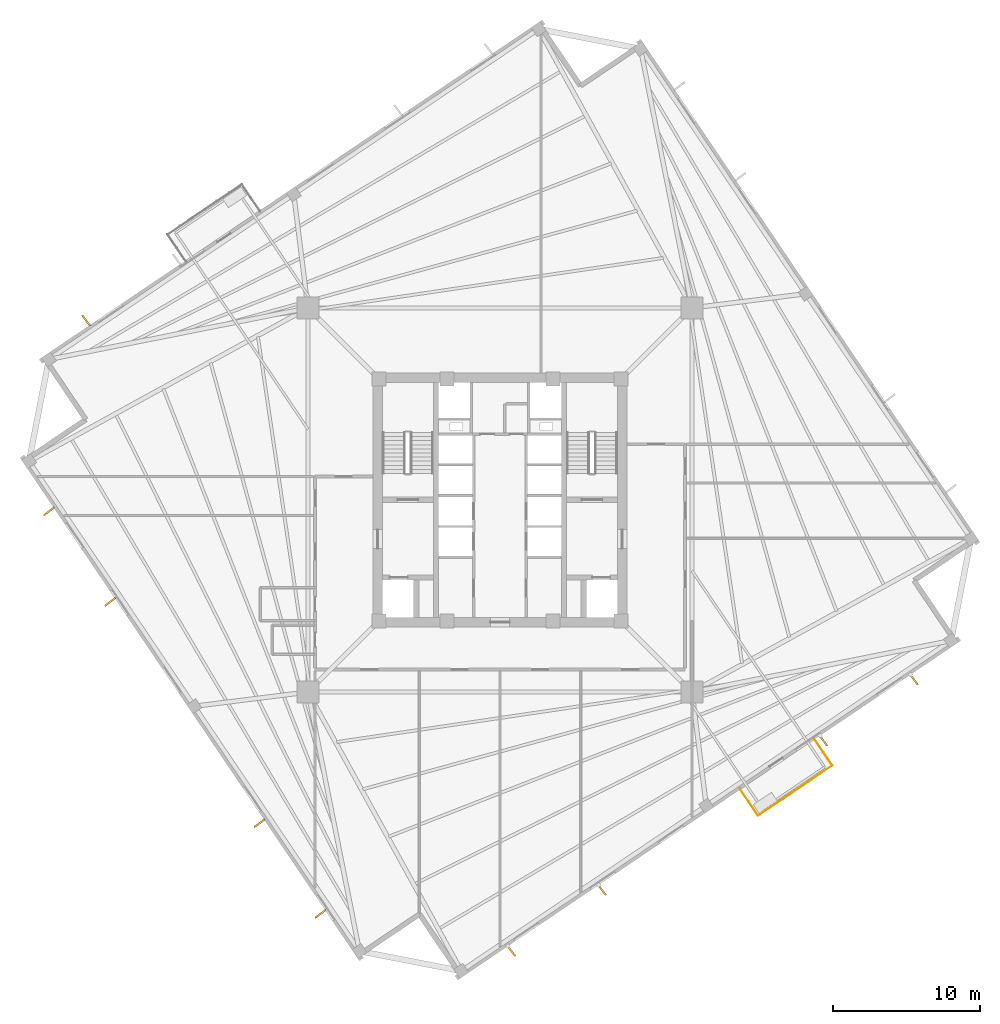
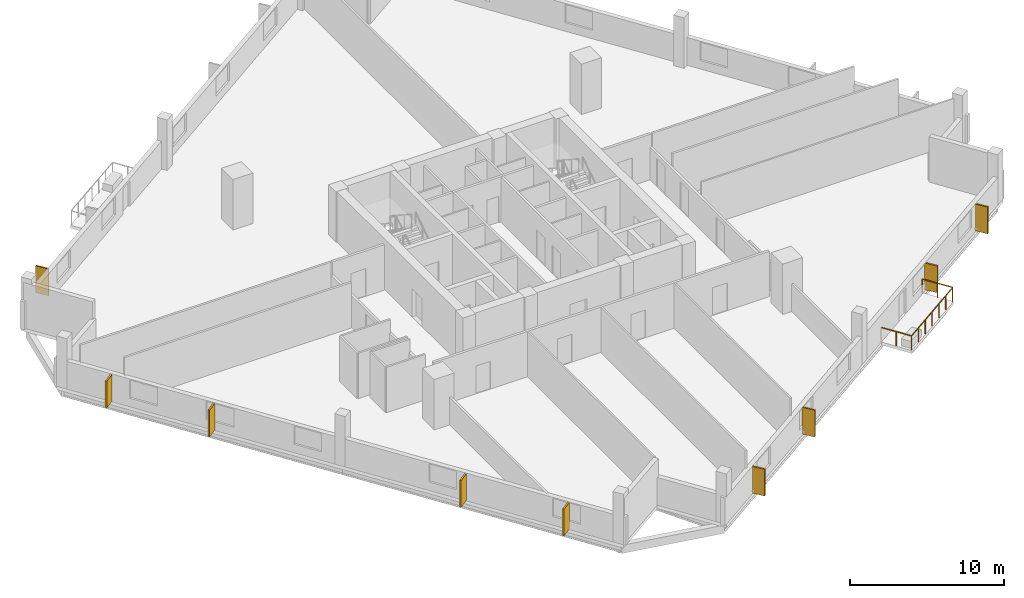
# One storey, part 6 of 8: 9 coverings, 3 railings.
"""IFC4 building model written with IfcOpenShell, lengths in metres."""

from ifc_helpers import new_model, si_unit, direction, frame, origin, origin_2d, place, context, subcontext, project, spatial, rectangle, circle, extrude, source, transform, mapped, material, layer, layer_set, type_object, element, save


model = new_model("IFC4")

# Units and contexts
model_context = context("Model", 3, precision=1e-05, world=origin(), true_north=direction((0.0, 1.0)))
body_context = subcontext(model_context, "Body", "Model", "MODEL_VIEW")
ifc_project = project(units=[si_unit("LENGTHUNIT", "METRE"), si_unit("AREAUNIT", "SQUARE_METRE"), si_unit("VOLUMEUNIT", "CUBIC_METRE"), si_unit("PLANEANGLEUNIT", "RADIAN"), si_unit("MASSUNIT", "GRAM", prefix="KILO"), si_unit("THERMODYNAMICTEMPERATUREUNIT", "KELVIN")], contexts=[model_context])

# Site, building, storey
site_placement = place(None, origin())
site = spatial("IfcSite", under=ifc_project, at=site_placement, CompositionType="ELEMENT")
building_placement = place(site_placement, origin())
building = spatial("IfcBuilding", under=site, at=building_placement, Name="Kosmvard Interchange Tower", CompositionType="ELEMENT")
storey_placement = place(building_placement, frame((0.0, 0.0, 196.39990234375)))
storey = spatial("IfcBuildingStorey", under=building, at=storey_placement, Name="L47", CompositionType="ELEMENT", Elevation=196.39990234375)

# Coverings
ifc_material_1 = material(Name="Architectural anodised aluminium", Category="aluminium")
ifc_layer = layer(ifc_material_1, 0.1201171875, Name="Architectural anodised aluminium")
ifc_layer_set = layer_set([ifc_layer], Name="Architectural anodised aluminium")
covering_type = type_object("IfcCoveringType", Name="Rotating Vertical Sun-Breaker Fin 900x120 Aluminium", PredefinedType="CLADDING", material=ifc_layer_set)
shared_shape_1 = source(origin(), body_context, "Body", "SweptSolid", [
    extrude(rectangle(XDim=0.89990234375, YDim=0.1201171875, at=origin_2d()), origin(), (0.0, 0.0, 1.0), 2.1201171875),
])
for number, where, z_axis, x_axis, name in (
    (1, (0.774169921875, -30.718994140625, 0.0400390625), (0.0, 0.0, 1.0), (0.60083885691, -0.799370169588, 0.0), "L47 Rotating Vertical Sun-Breaker Fin 01"),
    (2, (6.943115234375, -26.557861328125, 0.0400390625), (0.0, 0.0, 1.0), (0.60083885691, -0.799370169588, 0.0), "L47 Rotating Vertical Sun-Breaker Fin 02"),
    (3, (22.02294921875, -16.38623046875, 0.0400390625), (0.0, 0.0, 1.0), (0.60083885691, -0.799370169588, 0.0), "L47 Rotating Vertical Sun-Breaker Fin 03"),
    (4, (28.192138671875, -12.225341796875, 0.0400390625), (0.0, 0.0, 1.0), (0.60083885691, -0.799370169588, 0.0), "L47 Rotating Vertical Sun-Breaker Fin 04"),
    (5, (-28.192138671875, 12.225341796875, 0.0400390625), (0.0, 0.0, 1.0), (-0.60083885691, 0.799370169588, 0.0), "L47 Rotating Vertical Sun-Breaker Fin 12"),
    (6, (-30.718994140625, -0.774169921875, 0.0400390625), (0.0, 0.0, 1.0), (-0.799370169588, -0.60083885691, 0.0), "L47 Rotating Vertical Sun-Breaker Fin 13"),
    (7, (-26.557861328125, -6.943115234375, 0.0400390625), (0.0, 0.0, 1.0), (-0.799370169588, -0.60083885691, 0.0), "L47 Rotating Vertical Sun-Breaker Fin 14"),
    (8, (-16.38623046875, -22.02294921875, 0.0400390625), (0.0, 0.0, 1.0), (-0.799370169588, -0.60083885691, 0.0), "L47 Rotating Vertical Sun-Breaker Fin 15"),
    (9, (-12.225341796875, -28.192138671875, 0.0400390625), (0.0, 0.0, 1.0), (-0.799370169588, -0.60083885691, 0.0), "L47 Rotating Vertical Sun-Breaker Fin 16"),
):
    element("IfcCovering", number, at=place(storey_placement, frame(where, z_axis=z_axis, x_axis=x_axis)), inside=storey, type_object=covering_type, Name=name, PredefinedType="CLADDING", context=body_context, shape_type="MappedRepresentation", body=[
        mapped(shared_shape_1, transform((0.0, 0.0, 0.0), scale=1.0)),
    ])

# Railings
ifc_material_2 = material(Name="Steel S355", Category="steel")
railing_type = type_object("IfcRailingType", Name="Observation & Balcony Glass-Infill Balustrade 1150", PredefinedType="BALUSTRADE", material=ifc_material_2)
shared_shape_2 = source(origin(), body_context, "Body", "SweptSolid", [
    extrude(circle(Radius=0.02392578125, at=origin_2d()), frame((0.0, 0.0, 1.1259765625), z_axis=(0.559173597279, -0.829050594418, 0.0), x_axis=(0.829050594418, 0.559173597279, 0.0)), (0.0, 0.0, 1.0), 2.2001953125),
    extrude(circle(Radius=0.02099609375, at=origin_2d()), origin(), (0.0, 0.0, 1.0), 1.101806640625),
    extrude(circle(Radius=0.02099609375, at=origin_2d()), frame((0.615234375, -0.912109375, 0.0)), (0.0, 0.0, 1.0), 1.101806640625),
    extrude(circle(Radius=0.02099609375, at=origin_2d()), frame((1.230224609375, -1.823974609375, 0.0)), (0.0, 0.0, 1.0), 1.101806640625),
])
railing_1_placement = place(storey_placement, frame((16.345458984375, -19.673095703125, 0.0)))
element("IfcRailing", 10, at=railing_1_placement, inside=storey, type_object=railing_type, Name="L47 Outdoor Terrace Guard BAL-L47-SW-A", PredefinedType="BALUSTRADE", context=body_context, shape_type="MappedRepresentation", body=[
    mapped(shared_shape_2, transform((0.0, 0.0, 0.0), scale=1.0)),
])
shared_shape_3 = source(origin(), body_context, "Body", "SweptSolid", [
    extrude(circle(Radius=0.02392578125, at=origin_2d()), frame((0.0, 0.0, 1.1259765625), z_axis=(0.829033294248, 0.55919924627, 0.0), x_axis=(-0.55919924627, 0.829033294248, 0.0)), (0.0, 0.0, 1.0), 6.10009765625),
    extrude(circle(Radius=0.02099609375, at=origin_2d()), origin(), (0.0, 0.0, 1.0), 1.101806640625),
    extrude(circle(Radius=0.02099609375, at=origin_2d()), frame((0.8427734375, 0.568603515625, 0.0)), (0.0, 0.0, 1.0), 1.101806640625),
    extrude(circle(Radius=0.02099609375, at=origin_2d()), frame((1.685791015625, 1.136962890625, 0.0)), (0.0, 0.0, 1.0), 1.101806640625),
    extrude(circle(Radius=0.02099609375, at=origin_2d()), frame((2.528564453125, 1.70556640625, 0.0)), (0.0, 0.0, 1.0), 1.101806640625),
    extrude(circle(Radius=0.02099609375, at=origin_2d()), frame((3.371337890625, 2.274169921875, 0.0)), (0.0, 0.0, 1.0), 1.101806640625),
    extrude(circle(Radius=0.02099609375, at=origin_2d()), frame((4.21435546875, 2.842529296875, 0.0)), (0.0, 0.0, 1.0), 1.101806640625),
    extrude(circle(Radius=0.02099609375, at=origin_2d()), frame((5.05712890625, 3.4111328125, 0.0)), (0.0, 0.0, 1.0), 1.101806640625),
])
railing_2_placement = place(storey_placement, frame((17.57568359375, -21.4970703125, 0.0)))
element("IfcRailing", 11, at=railing_2_placement, inside=storey, type_object=railing_type, Name="L47 Outdoor Terrace Guard BAL-L47-SW-B", PredefinedType="BALUSTRADE", context=body_context, shape_type="MappedRepresentation", body=[
    mapped(shared_shape_3, transform((0.0, 0.0, 0.0), scale=1.0)),
])
shared_shape_4 = source(origin(), body_context, "Body", "SweptSolid", [
    extrude(circle(Radius=0.02392578125, at=origin_2d()), frame((0.0, 0.0, 1.1259765625), z_axis=(-0.559173597279, 0.829050594418, 0.0), x_axis=(-0.829050594418, -0.559173597279, 0.0)), (0.0, 0.0, 1.0), 2.2001953125),
    extrude(circle(Radius=0.02099609375, at=origin_2d()), origin(), (0.0, 0.0, 1.0), 1.101806640625),
    extrude(circle(Radius=0.02099609375, at=origin_2d()), frame((-0.615234375, 0.912109375, 0.0)), (0.0, 0.0, 1.0), 1.101806640625),
    extrude(circle(Radius=0.02099609375, at=origin_2d()), frame((-1.230224609375, 1.823974609375, 0.0)), (0.0, 0.0, 1.0), 1.101806640625),
])
railing_3_placement = place(storey_placement, frame((22.6328125, -18.0859375, 0.0)))
element("IfcRailing", 12, at=railing_3_placement, inside=storey, type_object=railing_type, Name="L47 Outdoor Terrace Guard BAL-L47-SW-C", PredefinedType="BALUSTRADE", context=body_context, shape_type="MappedRepresentation", body=[
    mapped(shared_shape_4, transform((0.0, 0.0, 0.0), scale=1.0)),
])

save(model, "model.ifc")
